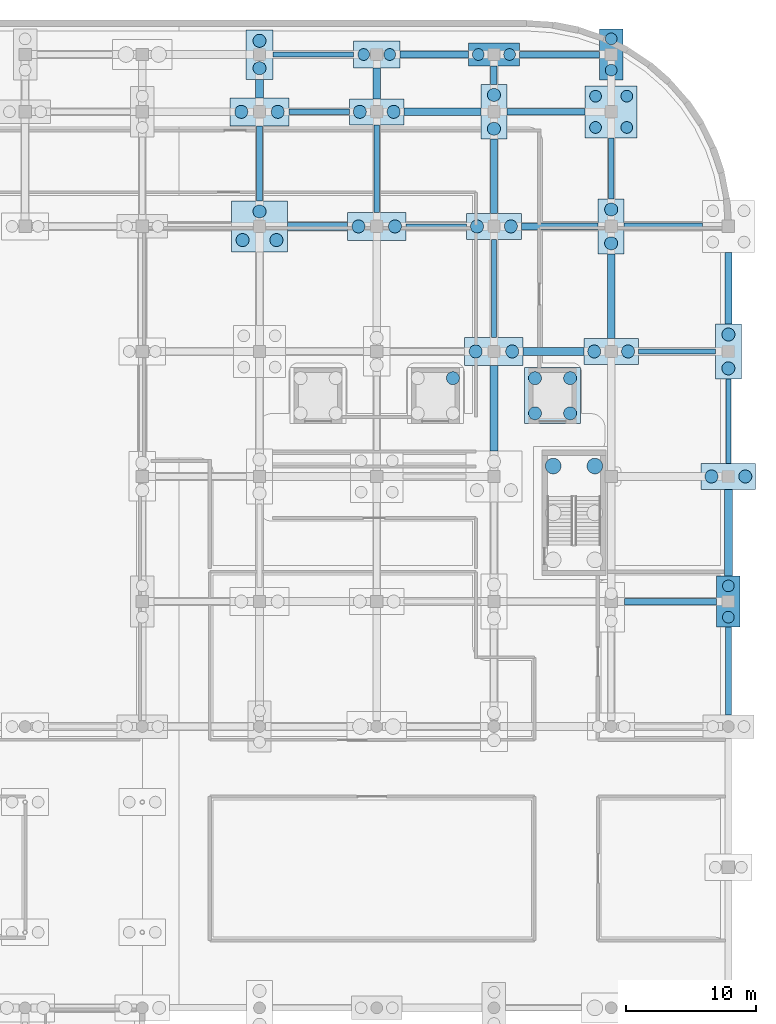
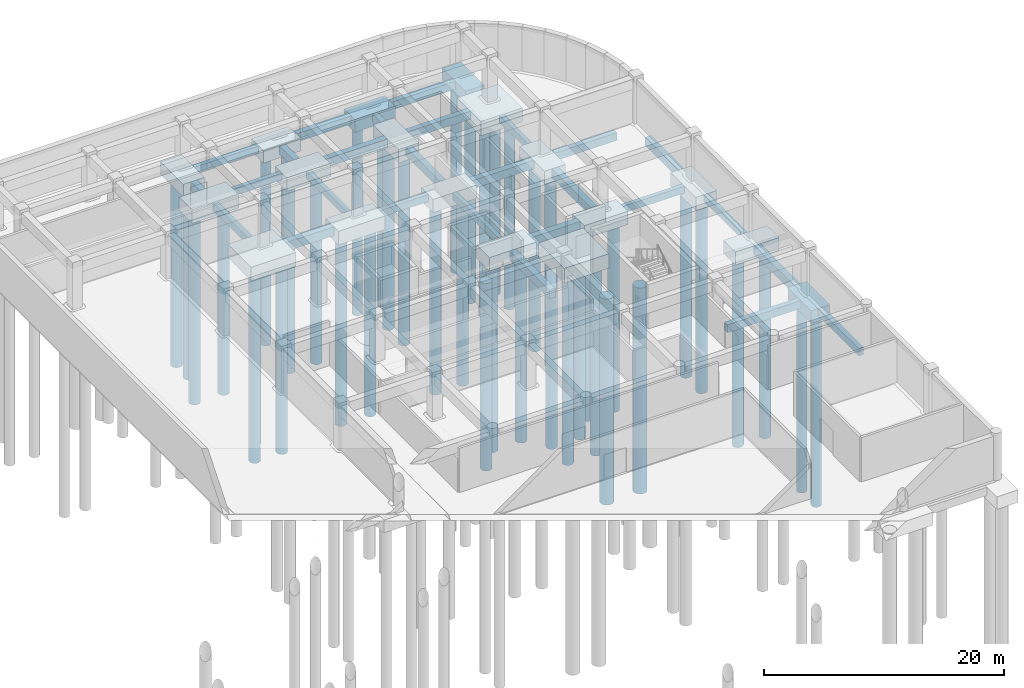
# One storey, part 7 of 47: 45 footings, 44 piles.
"""IFC4 building model written with IfcOpenShell, lengths in metres."""

from ifc_helpers import new_model, si_unit, direction, frame, origin, origin_2d, place, context, subcontext, project, spatial, rectangle, circle, extrude, material, material_profile, profile_set, type_object, element, save


model = new_model("IFC4")

# Units and contexts
model_context = context("Model", 3, precision=1e-05, world=origin(), true_north=direction((0.0, 1.0)))
body_context = subcontext(model_context, "Body", "Model", "MODEL_VIEW")
ifc_project = project(units=[si_unit("LENGTHUNIT", "METRE"), si_unit("AREAUNIT", "SQUARE_METRE"), si_unit("VOLUMEUNIT", "CUBIC_METRE"), si_unit("PLANEANGLEUNIT", "RADIAN"), si_unit("MASSUNIT", "GRAM", prefix="KILO")], contexts=[model_context])

# Site, building, storey
site_placement = place(None, origin())
site = spatial("IfcSite", under=ifc_project, at=site_placement, CompositionType="ELEMENT")
building_placement = place(site_placement, origin())
building = spatial("IfcBuilding", under=site, at=building_placement, Name="Cendralis Terraced Arcade", CompositionType="ELEMENT")
storey_placement = place(building_placement, frame((0.0, 0.0, -4.800048828125)))
storey = spatial("IfcBuildingStorey", under=building, at=storey_placement, Name="B1", CompositionType="ELEMENT", Elevation=-4.800048828125)

# Footings
ifc_material = material(Name="Concrete f'c 35 MPa", Category="concrete")
ifc_material_profile_1 = material_profile(ifc_material, rectangle(XDim=0.39990234375, YDim=0.699951171875, at=origin_2d()), Name="FB-400x700", Category="LoadBearing")
ifc_profile_set_1 = profile_set([ifc_material_profile_1], Name="Concrete f'c 35 MPa")
footing_type_1 = type_object("IfcFootingType", Name="FB-400x700", PredefinedType="FOOTING_BEAM", material=ifc_profile_set_1)
footing_1_placement = place(storey_placement, frame((159.300048828125, 88.800048828125, -0.800048828125), z_axis=(1.0, 0.0, 0.0), x_axis=(0.0, 1.0, 0.0)))
element("IfcFooting", 1, at=footing_1_placement, inside=storey, type_object=footing_type_1, Name="Reinforced Concrete Foundation Tie Beam FB-X-0109", PredefinedType="FOOTING_BEAM", context=body_context, shape_type="SweptSolid", body=[
    extrude(rectangle(XDim=0.39990234375, YDim=0.699951171875, at=origin_2d()), origin(), (0.0, 0.0, 1.0), 5.89990234375),
])
for number, where, z_axis, x_axis, name in (
    (2, (141.449951171875, 98.39990234375, -0.800048828125), (1.0, 0.0, 0.0), (0.0, 1.0, 0.0), "Reinforced Concrete Foundation Tie Beam FB-X-0119"),
    (3, (132.449951171875, 107.199951171875, -0.800048828125), (1.0, 0.0, 0.0), (0.0, 1.0, 0.0), "Reinforced Concrete Foundation Tie Beam FB-X-0129"),
):
    element("IfcFooting", number, at=place(storey_placement, frame(where, z_axis=z_axis, x_axis=x_axis)), inside=storey, type_object=footing_type_1, Name=name, PredefinedType="FOOTING_BEAM", context=body_context, shape_type="SweptSolid", body=[
        extrude(rectangle(XDim=0.39990234375, YDim=0.699951171875, at=origin_2d()), origin(), (0.0, 0.0, 1.0), 4.650146484375),
    ])
footing_2_placement = place(storey_placement, frame((131.22509765625, 111.60009765625, -0.800048828125), z_axis=(1.0, 0.0, 0.0), x_axis=(0.0, 1.0, 0.0)))
element("IfcFooting", 4, at=footing_2_placement, inside=storey, type_object=footing_type_1, Name="Reinforced Concrete Foundation Tie Beam FB-X-0139", PredefinedType="FOOTING_BEAM", context=body_context, shape_type="SweptSolid", body=[
    extrude(rectangle(XDim=0.39990234375, YDim=0.699951171875, at=origin_2d()), origin(), (0.0, 0.0, 1.0), 6.1748046875),
])
footing_3_placement = place(storey_placement, frame((139.199951171875, 99.47509765625, -0.800048828125), z_axis=(0.0, 1.0, 0.0), x_axis=(-1.0, 0.0, 0.0)))
element("IfcFooting", 5, at=footing_3_placement, inside=storey, type_object=footing_type_1, Name="Reinforced Concrete Foundation Tie Beam FB-Y-0259", PredefinedType="FOOTING_BEAM", context=body_context, shape_type="SweptSolid", body=[
    extrude(rectangle(XDim=0.39990234375, YDim=0.699951171875, at=origin_2d()), origin(), (0.0, 0.0, 1.0), 6.724853515625),
])
footing_4_placement = place(storey_placement, frame((148.199951171875, 89.875, -0.800048828125), z_axis=(0.0, 1.0, 0.0), x_axis=(-1.0, 0.0, 0.0)))
element("IfcFooting", 6, at=footing_4_placement, inside=storey, type_object=footing_type_1, Name="Reinforced Concrete Foundation Tie Beam FB-Y-0264", PredefinedType="FOOTING_BEAM", context=body_context, shape_type="SweptSolid", body=[
    extrude(rectangle(XDim=0.39990234375, YDim=0.699951171875, at=origin_2d()), origin(), (0.0, 0.0, 1.0), 7.52490234375),
])
footing_5_placement = place(storey_placement, frame((157.199951171875, 100.5, -0.800048828125), z_axis=(0.0, 1.0, 0.0), x_axis=(-1.0, 0.0, 0.0)))
element("IfcFooting", 7, at=footing_5_placement, inside=storey, type_object=footing_type_1, Name="Reinforced Concrete Foundation Tie Beam FB-Y-0269", PredefinedType="FOOTING_BEAM", context=body_context, shape_type="SweptSolid", body=[
    extrude(rectangle(XDim=0.39990234375, YDim=0.699951171875, at=origin_2d()), origin(), (0.0, 0.0, 1.0), 4.699951171875),
])
footing_6_placement = place(storey_placement, frame((166.199951171875, 80.199951171875, -0.800048828125), z_axis=(0.0, 1.0, 0.0), x_axis=(-1.0, 0.0, 0.0)))
element("IfcFooting", 8, at=footing_6_placement, inside=storey, type_object=footing_type_1, Name="Reinforced Concrete Foundation Tie Beam FB-Y-0274", PredefinedType="FOOTING_BEAM", context=body_context, shape_type="SweptSolid", body=[
    extrude(rectangle(XDim=0.39990234375, YDim=0.699951171875, at=origin_2d()), origin(), (0.0, 0.0, 1.0), 6.5),
])
ifc_material_profile_2 = material_profile(ifc_material, rectangle(XDim=0.449951171875, YDim=0.75, at=origin_2d()), Name="FB-450x750", Category="LoadBearing")
ifc_profile_set_2 = profile_set([ifc_material_profile_2], Name="Concrete f'c 35 MPa")
footing_type_2 = type_object("IfcFootingType", Name="FB-450x750", PredefinedType="FOOTING_BEAM", material=ifc_profile_set_2)
footing_7_placement = place(storey_placement, frame((130.199951171875, 100.35009765625, -0.824951171875), z_axis=(0.0, 1.0, 0.0), x_axis=(-1.0, 0.0, 0.0)))
element("IfcFooting", 9, at=footing_7_placement, inside=storey, type_object=footing_type_2, Name="Reinforced Concrete Foundation Tie Beam FB-Y-0252", PredefinedType="FOOTING_BEAM", context=body_context, shape_type="SweptSolid", body=[
    extrude(rectangle(XDim=0.449951171875, YDim=0.75, at=origin_2d()), origin(), (0.0, 0.0, 1.0), 5.77490234375),
])
footing_8_placement = place(storey_placement, frame((166.199951171875, 60.89990234375, -0.824951171875), z_axis=(0.0, 1.0, 0.0), x_axis=(-1.0, 0.0, 0.0)))
element("IfcFooting", 10, at=footing_8_placement, inside=storey, type_object=footing_type_2, Name="Reinforced Concrete Foundation Tie Beam FB-Y-0272", PredefinedType="FOOTING_BEAM", context=body_context, shape_type="SweptSolid", body=[
    extrude(rectangle(XDim=0.449951171875, YDim=0.75, at=origin_2d()), origin(), (0.0, 0.0, 1.0), 6.75),
])
ifc_material_profile_3 = material_profile(ifc_material, rectangle(XDim=0.5, YDim=0.800048828125, at=origin_2d()), Name="FB-500x800", Category="LoadBearing")
ifc_profile_set_3 = profile_set([ifc_material_profile_3], Name="Concrete f'c 35 MPa")
footing_type_3 = type_object("IfcFootingType", Name="FB-500x800", PredefinedType="FOOTING_BEAM", material=ifc_profile_set_3)
footing_9_placement = place(storey_placement, frame((158.22509765625, 69.60009765625, -0.849853515625), z_axis=(1.0, 0.0, 0.0), x_axis=(0.0, 1.0, 0.0)))
element("IfcFooting", 11, at=footing_9_placement, inside=storey, type_object=footing_type_3, Name="Reinforced Concrete Foundation Tie Beam FB-X-0091", PredefinedType="FOOTING_BEAM", context=body_context, shape_type="SweptSolid", body=[
    extrude(rectangle(XDim=0.5, YDim=0.800048828125, at=origin_2d()), origin(), (0.0, 0.0, 1.0), 7.074951171875),
])
for number, where, z_axis, x_axis, name in (
    (12, (158.199951171875, 98.39990234375, -0.849853515625), (1.0, 0.0, 0.0), (0.0, 1.0, 0.0), "Reinforced Concrete Foundation Tie Beam FB-X-0121"),
    (13, (149.199951171875, 107.199951171875, -0.849853515625), (1.0, 0.0, 0.0), (0.0, 1.0, 0.0), "Reinforced Concrete Foundation Tie Beam FB-X-0131"),
):
    element("IfcFooting", number, at=place(storey_placement, frame(where, z_axis=z_axis, x_axis=x_axis)), inside=storey, type_object=footing_type_3, Name=name, PredefinedType="FOOTING_BEAM", context=body_context, shape_type="SweptSolid", body=[
        extrude(rectangle(XDim=0.5, YDim=0.800048828125, at=origin_2d()), origin(), (0.0, 0.0, 1.0), 6.0),
    ])
footing_10_placement = place(storey_placement, frame((150.14990234375, 111.60009765625, -0.849853515625), z_axis=(1.0, 0.0, 0.0), x_axis=(0.0, 1.0, 0.0)))
element("IfcFooting", 14, at=footing_10_placement, inside=storey, type_object=footing_type_3, Name="Reinforced Concrete Foundation Tie Beam FB-X-0141", PredefinedType="FOOTING_BEAM", context=body_context, shape_type="SweptSolid", body=[
    extrude(rectangle(XDim=0.5, YDim=0.800048828125, at=origin_2d()), origin(), (0.0, 0.0, 1.0), 6.150146484375),
])
footing_11_placement = place(storey_placement, frame((148.199951171875, 109.300048828125, -0.849853515625), z_axis=(0.0, 1.0, 0.0), x_axis=(-1.0, 0.0, 0.0)))
element("IfcFooting", 15, at=footing_11_placement, inside=storey, type_object=footing_type_3, Name="Reinforced Concrete Foundation Tie Beam FB-Y-0266", PredefinedType="FOOTING_BEAM", context=body_context, shape_type="SweptSolid", body=[
    extrude(rectangle(XDim=0.5, YDim=0.800048828125, at=origin_2d()), origin(), (0.0, 0.0, 1.0), 1.39990234375),
])
ifc_material_profile_4 = material_profile(ifc_material, rectangle(XDim=0.550048828125, YDim=0.85009765625, at=origin_2d()), Name="FB-550x850", Category="LoadBearing")
ifc_profile_set_4 = profile_set([ifc_material_profile_4], Name="Concrete f'c 35 MPa")
footing_type_4 = type_object("IfcFootingType", Name="FB-550x850", PredefinedType="FOOTING_BEAM", material=ifc_profile_set_4)
for number, where, z_axis, x_axis, name in (
    (16, (150.300048828125, 98.39990234375, -0.875), (1.0, 0.0, 0.0), (0.0, 1.0, 0.0), "Reinforced Concrete Foundation Tie Beam FB-X-0120"),
    (17, (141.300048828125, 107.199951171875, -0.875), (1.0, 0.0, 0.0), (0.0, 1.0, 0.0), "Reinforced Concrete Foundation Tie Beam FB-X-0130"),
):
    element("IfcFooting", number, at=place(storey_placement, frame(where, z_axis=z_axis, x_axis=x_axis)), inside=storey, type_object=footing_type_4, Name=name, PredefinedType="FOOTING_BEAM", context=body_context, shape_type="SweptSolid", body=[
        extrude(rectangle(XDim=0.550048828125, YDim=0.85009765625, at=origin_2d()), origin(), (0.0, 0.0, 1.0), 5.89990234375),
    ])
footing_12_placement = place(storey_placement, frame((141.0, 111.60009765625, -0.875), z_axis=(1.0, 0.0, 0.0), x_axis=(0.0, 1.0, 0.0)))
element("IfcFooting", 18, at=footing_12_placement, inside=storey, type_object=footing_type_4, Name="Reinforced Concrete Foundation Tie Beam FB-X-0140", PredefinedType="FOOTING_BEAM", context=body_context, shape_type="SweptSolid", body=[
    extrude(rectangle(XDim=0.550048828125, YDim=0.85009765625, at=origin_2d()), origin(), (0.0, 0.0, 1.0), 5.25),
])
footing_13_placement = place(storey_placement, frame((139.199951171875, 108.199951171875, -0.875), z_axis=(0.0, 1.0, 0.0), x_axis=(-1.0, 0.0, 0.0)))
element("IfcFooting", 19, at=footing_13_placement, inside=storey, type_object=footing_type_4, Name="Reinforced Concrete Foundation Tie Beam FB-Y-0260", PredefinedType="FOOTING_BEAM", context=body_context, shape_type="SweptSolid", body=[
    extrude(rectangle(XDim=0.550048828125, YDim=0.85009765625, at=origin_2d()), origin(), (0.0, 0.0, 1.0), 2.375),
])
footing_14_placement = place(storey_placement, frame((148.199951171875, 99.39990234375, -0.875), z_axis=(0.0, 1.0, 0.0), x_axis=(-1.0, 0.0, 0.0)))
element("IfcFooting", 20, at=footing_14_placement, inside=storey, type_object=footing_type_4, Name="Reinforced Concrete Foundation Tie Beam FB-Y-0265", PredefinedType="FOOTING_BEAM", context=body_context, shape_type="SweptSolid", body=[
    extrude(rectangle(XDim=0.550048828125, YDim=0.85009765625, at=origin_2d()), origin(), (0.0, 0.0, 1.0), 5.7001953125),
])
footing_15_placement = place(storey_placement, frame((166.199951171875, 90.89990234375, -0.875), z_axis=(0.0, 1.0, 0.0), x_axis=(-1.0, 0.0, 0.0)))
element("IfcFooting", 21, at=footing_15_placement, inside=storey, type_object=footing_type_4, Name="Reinforced Concrete Foundation Tie Beam FB-Y-0275", PredefinedType="FOOTING_BEAM", context=body_context, shape_type="SweptSolid", body=[
    extrude(rectangle(XDim=0.550048828125, YDim=0.85009765625, at=origin_2d()), origin(), (0.0, 0.0, 1.0), 5.5),
])
ifc_material_profile_5 = material_profile(ifc_material, rectangle(XDim=0.60009765625, YDim=0.89990234375, at=origin_2d()), Name="FB-600x900", Category="LoadBearing")
ifc_profile_set_5 = profile_set([ifc_material_profile_5], Name="Concrete f'c 35 MPa")
footing_type_5 = type_object("IfcFootingType", Name="FB-600x900", PredefinedType="FOOTING_BEAM", material=ifc_profile_set_5)
footing_16_placement = place(storey_placement, frame((150.449951171875, 88.800048828125, -0.89990234375), z_axis=(1.0, 0.0, 0.0), x_axis=(0.0, 1.0, 0.0)))
element("IfcFooting", 22, at=footing_16_placement, inside=storey, type_object=footing_type_5, Name="Reinforced Concrete Foundation Tie Beam FB-X-0108", PredefinedType="FOOTING_BEAM", context=body_context, shape_type="SweptSolid", body=[
    extrude(rectangle(XDim=0.60009765625, YDim=0.89990234375, at=origin_2d()), origin(), (0.0, 0.0, 1.0), 4.650146484375),
])
footing_17_placement = place(storey_placement, frame((132.35009765625, 98.39990234375, -0.89990234375), z_axis=(1.0, 0.0, 0.0), x_axis=(0.0, 1.0, 0.0)))
element("IfcFooting", 23, at=footing_17_placement, inside=storey, type_object=footing_type_5, Name="Reinforced Concrete Foundation Tie Beam FB-X-0118", PredefinedType="FOOTING_BEAM", context=body_context, shape_type="SweptSolid", body=[
    extrude(rectangle(XDim=0.60009765625, YDim=0.89990234375, at=origin_2d()), origin(), (0.0, 0.0, 1.0), 4.599853515625),
])
footing_18_placement = place(storey_placement, frame((130.199951171875, 108.27490234375, -0.89990234375), z_axis=(0.0, 1.0, 0.0), x_axis=(-1.0, 0.0, 0.0)))
element("IfcFooting", 24, at=footing_18_placement, inside=storey, type_object=footing_type_5, Name="Reinforced Concrete Foundation Tie Beam FB-Y-0253", PredefinedType="FOOTING_BEAM", context=body_context, shape_type="SweptSolid", body=[
    extrude(rectangle(XDim=0.60009765625, YDim=0.89990234375, at=origin_2d()), origin(), (0.0, 0.0, 1.0), 1.425048828125),
])
footing_19_placement = place(storey_placement, frame((148.199951171875, 81.14990234375, -0.89990234375), z_axis=(0.0, 1.0, 0.0), x_axis=(-1.0, 0.0, 0.0)))
element("IfcFooting", 25, at=footing_19_placement, inside=storey, type_object=footing_type_5, Name="Reinforced Concrete Foundation Tie Beam FB-Y-0263", PredefinedType="FOOTING_BEAM", context=body_context, shape_type="SweptSolid", body=[
    extrude(rectangle(XDim=0.60009765625, YDim=0.89990234375, at=origin_2d()), origin(), (0.0, 0.0, 1.0), 6.5751953125),
])
footing_20_placement = place(storey_placement, frame((157.199951171875, 89.800048828125, -0.89990234375), z_axis=(0.0, 1.0, 0.0), x_axis=(-1.0, 0.0, 0.0)))
element("IfcFooting", 26, at=footing_20_placement, inside=storey, type_object=footing_type_5, Name="Reinforced Concrete Foundation Tie Beam FB-Y-0268", PredefinedType="FOOTING_BEAM", context=body_context, shape_type="SweptSolid", body=[
    extrude(rectangle(XDim=0.60009765625, YDim=0.89990234375, at=origin_2d()), origin(), (0.0, 0.0, 1.0), 6.5),
])
footing_21_placement = place(storey_placement, frame((166.199951171875, 71.550048828125, -0.89990234375), z_axis=(0.0, 1.0, 0.0), x_axis=(-1.0, 0.0, 0.0)))
element("IfcFooting", 27, at=footing_21_placement, inside=storey, type_object=footing_type_5, Name="Reinforced Concrete Foundation Tie Beam FB-Y-0273", PredefinedType="FOOTING_BEAM", context=body_context, shape_type="SweptSolid", body=[
    extrude(rectangle(XDim=0.60009765625, YDim=0.89990234375, at=origin_2d()), origin(), (0.0, 0.0, 1.0), 6.64990234375),
])
footing_type_6 = type_object("IfcFootingType", Name="PC-2P-1800x3900x1300", PredefinedType="PILE_CAP", material=ifc_material)
for number, where, z_axis, x_axis, name in (
    (28, (157.199951171875, 111.60009765625, -1.75), (0.0, 0.0, 1.0), (1.0, 0.0, 0.0), "Reinforced Concrete Bored Pile Cap CAP-G18-N"),
    (29, (166.199951171875, 69.60009765625, -1.75), (0.0, 0.0, 1.0), (1.0, 0.0, 0.0), "Reinforced Concrete Bored Pile Cap CAP-G19-H"),
):
    element("IfcFooting", number, at=place(storey_placement, frame(where, z_axis=z_axis, x_axis=x_axis)), inside=storey, type_object=footing_type_6, Name=name, PredefinedType="PILE_CAP", context=body_context, shape_type="SweptSolid", body=[
        extrude(rectangle(XDim=1.800048828125, YDim=3.89990234375, at=origin_2d()), origin(), (0.0, 0.0, 1.0), 1.300048828125),
    ])
footing_type_7 = type_object("IfcFootingType", Name="PC-2P-2000x4200x1350", PredefinedType="PILE_CAP", material=ifc_material)
for number, where, z_axis, x_axis, name in (
    (30, (148.199951171875, 107.199951171875, -1.800048828125), (0.0, 0.0, 1.0), (1.0, 0.0, 0.0), "Reinforced Concrete Bored Pile Cap CAP-G17-M"),
    (31, (157.199951171875, 98.39990234375, -1.800048828125), (0.0, 0.0, 1.0), (1.0, 0.0, 0.0), "Reinforced Concrete Bored Pile Cap CAP-G18-L"),
    (32, (166.199951171875, 88.800048828125, -1.800048828125), (0.0, 0.0, 1.0), (1.0, 0.0, 0.0), "Reinforced Concrete Bored Pile Cap CAP-G19-K"),
):
    element("IfcFooting", number, at=place(storey_placement, frame(where, z_axis=z_axis, x_axis=x_axis)), inside=storey, type_object=footing_type_7, Name=name, PredefinedType="PILE_CAP", context=body_context, shape_type="SweptSolid", body=[
        extrude(rectangle(XDim=2.0, YDim=4.199951171875, at=origin_2d()), origin(), (0.0, 0.0, 1.0), 1.35009765625),
    ])
footing_type_8 = type_object("IfcFootingType", Name="PC-2P-2050x3800x1280", PredefinedType="PILE_CAP", material=ifc_material)
footing_22_placement = place(storey_placement, frame((130.199951171875, 111.60009765625, -1.72998046875), z_axis=(0.0, 0.0, 1.0), x_axis=(1.0, 0.0, 0.0)))
element("IfcFooting", 33, at=footing_22_placement, inside=storey, type_object=footing_type_8, Name="Reinforced Concrete Bored Pile Cap CAP-G15-N", PredefinedType="PILE_CAP", context=body_context, shape_type="SweptSolid", body=[
    extrude(rectangle(XDim=2.050048828125, YDim=3.800048828125, at=origin_2d()), origin(), (0.0, 0.0, 1.0), 1.280029296875),
])
footing_type_9 = type_object("IfcFootingType", Name="PC-2P-3600x2050x1260", PredefinedType="PILE_CAP", material=ifc_material)
footing_23_placement = place(storey_placement, frame((139.199951171875, 111.60009765625, -1.7099609375), z_axis=(0.0, 0.0, 1.0), x_axis=(1.0, 0.0, 0.0)))
element("IfcFooting", 34, at=footing_23_placement, inside=storey, type_object=footing_type_9, Name="Reinforced Concrete Bored Pile Cap CAP-G16-N", PredefinedType="PILE_CAP", context=body_context, shape_type="SweptSolid", body=[
    extrude(rectangle(XDim=3.60009765625, YDim=2.050048828125, at=origin_2d()), origin(), (0.0, 0.0, 1.0), 1.260009765625),
])
footing_type_10 = type_object("IfcFootingType", Name="PC-2P-3900x1800x1300", PredefinedType="PILE_CAP", material=ifc_material)
footing_24_placement = place(storey_placement, frame((148.199951171875, 111.60009765625, -1.75), z_axis=(0.0, 0.0, 1.0), x_axis=(1.0, 0.0, 0.0)))
element("IfcFooting", 35, at=footing_24_placement, inside=storey, type_object=footing_type_10, Name="Reinforced Concrete Bored Pile Cap CAP-G17-N", PredefinedType="PILE_CAP", context=body_context, shape_type="SweptSolid", body=[
    extrude(rectangle(XDim=3.89990234375, YDim=1.800048828125, at=origin_2d()), origin(), (0.0, 0.0, 1.0), 1.300048828125),
])
footing_type_11 = type_object("IfcFootingType", Name="PC-2P-4200x2000x1350", PredefinedType="PILE_CAP", material=ifc_material)
for number, where, z_axis, x_axis, name in (
    (36, (139.199951171875, 107.199951171875, -1.800048828125), (0.0, 0.0, 1.0), (1.0, 0.0, 0.0), "Reinforced Concrete Bored Pile Cap CAP-G16-M"),
    (37, (148.199951171875, 98.39990234375, -1.800048828125), (0.0, 0.0, 1.0), (1.0, 0.0, 0.0), "Reinforced Concrete Bored Pile Cap CAP-G17-L"),
    (38, (157.199951171875, 88.800048828125, -1.800048828125), (0.0, 0.0, 1.0), (1.0, 0.0, 0.0), "Reinforced Concrete Bored Pile Cap CAP-G18-K"),
    (39, (166.199951171875, 79.199951171875, -1.800048828125), (0.0, 0.0, 1.0), (1.0, 0.0, 0.0), "Reinforced Concrete Bored Pile Cap CAP-G19-J"),
):
    element("IfcFooting", number, at=place(storey_placement, frame(where, z_axis=z_axis, x_axis=x_axis)), inside=storey, type_object=footing_type_11, Name=name, PredefinedType="PILE_CAP", context=body_context, shape_type="SweptSolid", body=[
        extrude(rectangle(XDim=4.199951171875, YDim=2.0, at=origin_2d()), origin(), (0.0, 0.0, 1.0), 1.35009765625),
    ])
footing_type_12 = type_object("IfcFootingType", Name="PC-2P-4500x2150x1380", PredefinedType="PILE_CAP", material=ifc_material)
for number, where, z_axis, x_axis, name in (
    (40, (130.199951171875, 107.199951171875, -1.829833984375), (0.0, 0.0, 1.0), (1.0, 0.0, 0.0), "Reinforced Concrete Bored Pile Cap CAP-G15-M"),
    (41, (139.199951171875, 98.39990234375, -1.829833984375), (0.0, 0.0, 1.0), (1.0, 0.0, 0.0), "Reinforced Concrete Bored Pile Cap CAP-G16-L"),
    (42, (148.199951171875, 88.800048828125, -1.829833984375), (0.0, 0.0, 1.0), (1.0, 0.0, 0.0), "Reinforced Concrete Bored Pile Cap CAP-G17-K"),
):
    element("IfcFooting", number, at=place(storey_placement, frame(where, z_axis=z_axis, x_axis=x_axis)), inside=storey, type_object=footing_type_12, Name=name, PredefinedType="PILE_CAP", context=body_context, shape_type="SweptSolid", body=[
        extrude(rectangle(XDim=4.5, YDim=2.14990234375, at=origin_2d()), origin(), (0.0, 0.0, 1.0), 1.3798828125),
    ])
footing_type_13 = type_object("IfcFootingType", Name="PC-3P-4300x3900x1400", PredefinedType="PILE_CAP", material=ifc_material)
footing_25_placement = place(storey_placement, frame((130.199951171875, 98.39990234375, -1.849853515625), z_axis=(0.0, 0.0, 1.0), x_axis=(1.0, 0.0, 0.0)))
element("IfcFooting", 43, at=footing_25_placement, inside=storey, type_object=footing_type_13, Name="Reinforced Concrete Bored Pile Cap CAP-G15-L", PredefinedType="PILE_CAP", context=body_context, shape_type="SweptSolid", body=[
    extrude(rectangle(XDim=4.300048828125, YDim=3.89990234375, at=origin_2d()), origin(), (0.0, 0.0, 1.0), 1.39990234375),
])
footing_type_14 = type_object("IfcFootingType", Name="PC-4P-4000x4000x1450", PredefinedType="PILE_CAP", material=ifc_material)
footing_26_placement = place(storey_placement, frame((157.199951171875, 107.199951171875, -1.89990234375), z_axis=(0.0, 0.0, 1.0), x_axis=(1.0, 0.0, 0.0)))
element("IfcFooting", 44, at=footing_26_placement, inside=storey, type_object=footing_type_14, Name="Reinforced Concrete Bored Pile Cap CAP-G18-M", PredefinedType="PILE_CAP", context=body_context, shape_type="SweptSolid", body=[
    extrude(rectangle(XDim=4.0, YDim=4.0, at=origin_2d()), origin(), (0.0, 0.0, 1.0), 1.449951171875),
])
footing_type_15 = type_object("IfcFootingType", Name="PC-4P-4300x4300x1480", PredefinedType="PILE_CAP", material=ifc_material)
footing_27_placement = place(storey_placement, frame((152.699951171875, 85.39990234375, -1.929931640625), z_axis=(0.0, 0.0, 1.0), x_axis=(1.0, 0.0, 0.0)))
element("IfcFooting", 45, at=footing_27_placement, inside=storey, type_object=footing_type_15, Name="Reinforced Concrete Bored Pile Cap CAP-GL-03", PredefinedType="PILE_CAP", context=body_context, shape_type="SweptSolid", body=[
    extrude(rectangle(XDim=4.300048828125, YDim=4.300048828125, at=origin_2d()), origin(), (0.0, 0.0, 1.0), 1.47998046875),
])

# Piles
ifc_material_profile_6 = material_profile(ifc_material, circle(Radius=0.5, at=origin_2d()), Name="PILE-D1000", Category="LoadBearing")
ifc_profile_set_6 = profile_set([ifc_material_profile_6], Name="Concrete f'c 35 MPa")
pile_type_1 = type_object("IfcPileType", Name="PILE-1000", PredefinedType="BORED", material=ifc_profile_set_6)
for number, where, z_axis, x_axis, name in (
    (46, (145.050048828125, 86.75, -1.829833984375), (0.0, 0.0, -1.0), (1.0, 0.0, 0.0), "Bored Concrete Pile PILE-C-CAP-GL-02-4-135_135"),
    (47, (151.35009765625, 84.050048828125, -1.829833984375), (0.0, 0.0, -1.0), (1.0, 0.0, 0.0), "Bored Concrete Pile PILE-C-CAP-GL-03-4--135_-135"),
    (48, (154.050048828125, 84.050048828125, -1.829833984375), (0.0, 0.0, -1.0), (1.0, 0.0, 0.0), "Bored Concrete Pile PILE-C-CAP-GL-03-4-135_-135"),
    (49, (151.35009765625, 86.75, -1.829833984375), (0.0, 0.0, -1.0), (1.0, 0.0, 0.0), "Bored Concrete Pile PILE-C-CAP-GL-03-4--135_135"),
    (50, (154.050048828125, 86.75, -1.829833984375), (0.0, 0.0, -1.0), (1.0, 0.0, 0.0), "Bored Concrete Pile PILE-C-CAP-GL-03-4-135_135"),
):
    element("IfcPile", number, at=place(storey_placement, frame(where, z_axis=z_axis, x_axis=x_axis)), inside=storey, type_object=pile_type_1, Name=name, PredefinedType="BORED", context=body_context, shape_type="SweptSolid", body=[
        extrude(circle(Radius=0.5, at=origin_2d()), origin(), (0.0, 0.0, 1.0), 19.070068359375),
    ])
for number, where, z_axis, x_axis, name in (
    (51, (128.89990234375, 97.35009765625, -1.75), (0.0, 0.0, -1.0), (1.0, 0.0, 0.0), "Bored Concrete Pile PILE-C-CAP-G15-L-3--130_-105"),
    (52, (131.5, 97.35009765625, -1.75), (0.0, 0.0, -1.0), (1.0, 0.0, 0.0), "Bored Concrete Pile PILE-C-CAP-G15-L-3-130_-105"),
    (53, (130.199951171875, 99.550048828125, -1.75), (0.0, 0.0, -1.0), (1.0, 0.0, 0.0), "Bored Concrete Pile PILE-C-CAP-G15-L-3-0_115"),
):
    element("IfcPile", number, at=place(storey_placement, frame(where, z_axis=z_axis, x_axis=x_axis)), inside=storey, type_object=pile_type_1, Name=name, PredefinedType="BORED", context=body_context, shape_type="SweptSolid", body=[
        extrude(circle(Radius=0.5, at=origin_2d()), origin(), (0.0, 0.0, 1.0), 19.14990234375),
    ])
for number, where, z_axis, x_axis, name in (
    (54, (128.800048828125, 107.199951171875, -1.72998046875), (0.0, 0.0, -1.0), (1.0, 0.0, 0.0), "Bored Concrete Pile PILE-C-CAP-G15-M-2--140_0"),
    (55, (131.60009765625, 107.199951171875, -1.72998046875), (0.0, 0.0, -1.0), (1.0, 0.0, 0.0), "Bored Concrete Pile PILE-C-CAP-G15-M-2-140_0"),
):
    element("IfcPile", number, at=place(storey_placement, frame(where, z_axis=z_axis, x_axis=x_axis)), inside=storey, type_object=pile_type_1, Name=name, PredefinedType="BORED", context=body_context, shape_type="SweptSolid", body=[
        extrude(circle(Radius=0.5, at=origin_2d()), origin(), (0.0, 0.0, 1.0), 19.169921875),
    ])
for number, where, z_axis, x_axis, name in (
    (56, (130.199951171875, 110.550048828125, -1.6298828125), (0.0, 0.0, -1.0), (1.0, 0.0, 0.0), "Bored Concrete Pile PILE-C-CAP-G15-N-1-0_-105"),
    (57, (130.199951171875, 112.64990234375, -1.6298828125), (0.0, 0.0, -1.0), (1.0, 0.0, 0.0), "Bored Concrete Pile PILE-B-CAP-G15-N-1"),
):
    element("IfcPile", number, at=place(storey_placement, frame(where, z_axis=z_axis, x_axis=x_axis)), inside=storey, type_object=pile_type_1, Name=name, PredefinedType="BORED", context=body_context, shape_type="SweptSolid", body=[
        extrude(circle(Radius=0.5, at=origin_2d()), origin(), (0.0, 0.0, 1.0), 19.27001953125),
    ])
for number, where, z_axis, x_axis, name in (
    (58, (137.800048828125, 98.39990234375, -1.72998046875), (0.0, 0.0, -1.0), (1.0, 0.0, 0.0), "Bored Concrete Pile PILE-C-CAP-G16-L-2--140_0"),
    (59, (140.60009765625, 98.39990234375, -1.72998046875), (0.0, 0.0, -1.0), (1.0, 0.0, 0.0), "Bored Concrete Pile PILE-C-CAP-G16-L-2-140_0"),
):
    element("IfcPile", number, at=place(storey_placement, frame(where, z_axis=z_axis, x_axis=x_axis)), inside=storey, type_object=pile_type_1, Name=name, PredefinedType="BORED", context=body_context, shape_type="SweptSolid", body=[
        extrude(circle(Radius=0.5, at=origin_2d()), origin(), (0.0, 0.0, 1.0), 19.169921875),
    ])
for number, where, z_axis, x_axis, name in (
    (60, (137.89990234375, 107.199951171875, -1.699951171875), (0.0, 0.0, -1.0), (1.0, 0.0, 0.0), "Bored Concrete Pile PILE-C-CAP-G16-M-2--130_0"),
    (61, (140.5, 107.199951171875, -1.699951171875), (0.0, 0.0, -1.0), (1.0, 0.0, 0.0), "Bored Concrete Pile PILE-C-CAP-G16-M-2-130_0"),
):
    element("IfcPile", number, at=place(storey_placement, frame(where, z_axis=z_axis, x_axis=x_axis)), inside=storey, type_object=pile_type_1, Name=name, PredefinedType="BORED", context=body_context, shape_type="SweptSolid", body=[
        extrude(circle(Radius=0.5, at=origin_2d()), origin(), (0.0, 0.0, 1.0), 19.199951171875),
    ])
for number, where, z_axis, x_axis, name in (
    (62, (146.800048828125, 88.800048828125, -1.72998046875), (0.0, 0.0, -1.0), (1.0, 0.0, 0.0), "Bored Concrete Pile PILE-C-CAP-G17-K-2--140_0"),
    (63, (149.60009765625, 88.800048828125, -1.72998046875), (0.0, 0.0, -1.0), (1.0, 0.0, 0.0), "Bored Concrete Pile PILE-C-CAP-G17-K-2-140_0"),
):
    element("IfcPile", number, at=place(storey_placement, frame(where, z_axis=z_axis, x_axis=x_axis)), inside=storey, type_object=pile_type_1, Name=name, PredefinedType="BORED", context=body_context, shape_type="SweptSolid", body=[
        extrude(circle(Radius=0.5, at=origin_2d()), origin(), (0.0, 0.0, 1.0), 19.169921875),
    ])
for number, where, z_axis, x_axis, name in (
    (64, (146.89990234375, 98.39990234375, -1.699951171875), (0.0, 0.0, -1.0), (1.0, 0.0, 0.0), "Bored Concrete Pile PILE-C-CAP-G17-L-2--130_0"),
    (65, (149.5, 98.39990234375, -1.699951171875), (0.0, 0.0, -1.0), (1.0, 0.0, 0.0), "Bored Concrete Pile PILE-C-CAP-G17-L-2-130_0"),
    (66, (148.199951171875, 105.89990234375, -1.699951171875), (0.0, 0.0, -1.0), (1.0, 0.0, 0.0), "Bored Concrete Pile PILE-C-CAP-G17-M-2-0_-130"),
    (67, (148.199951171875, 108.5, -1.699951171875), (0.0, 0.0, -1.0), (1.0, 0.0, 0.0), "Bored Concrete Pile PILE-C-CAP-G17-M-2-0_130"),
    (68, (155.89990234375, 88.800048828125, -1.699951171875), (0.0, 0.0, -1.0), (1.0, 0.0, 0.0), "Bored Concrete Pile PILE-C-CAP-G18-K-2--130_0"),
    (69, (158.5, 88.800048828125, -1.699951171875), (0.0, 0.0, -1.0), (1.0, 0.0, 0.0), "Bored Concrete Pile PILE-C-CAP-G18-K-2-130_0"),
    (70, (157.199951171875, 97.10009765625, -1.699951171875), (0.0, 0.0, -1.0), (1.0, 0.0, 0.0), "Bored Concrete Pile PILE-C-CAP-G18-L-2-0_-130"),
    (71, (157.199951171875, 99.699951171875, -1.699951171875), (0.0, 0.0, -1.0), (1.0, 0.0, 0.0), "Bored Concrete Pile PILE-C-CAP-G18-L-2-0_130"),
    (72, (164.89990234375, 79.199951171875, -1.699951171875), (0.0, 0.0, -1.0), (1.0, 0.0, 0.0), "Bored Concrete Pile PILE-C-CAP-G19-J-2--130_0"),
    (73, (167.5, 79.199951171875, -1.699951171875), (0.0, 0.0, -1.0), (1.0, 0.0, 0.0), "Bored Concrete Pile PILE-C-CAP-G19-J-2-130_0"),
    (74, (166.199951171875, 87.5, -1.699951171875), (0.0, 0.0, -1.0), (1.0, 0.0, 0.0), "Bored Concrete Pile PILE-C-CAP-G19-K-2-0_-130"),
    (75, (166.199951171875, 90.10009765625, -1.699951171875), (0.0, 0.0, -1.0), (1.0, 0.0, 0.0), "Bored Concrete Pile PILE-C-CAP-G19-K-2-0_130"),
):
    element("IfcPile", number, at=place(storey_placement, frame(where, z_axis=z_axis, x_axis=x_axis)), inside=storey, type_object=pile_type_1, Name=name, PredefinedType="BORED", context=body_context, shape_type="SweptSolid", body=[
        extrude(circle(Radius=0.5, at=origin_2d()), origin(), (0.0, 0.0, 1.0), 19.199951171875),
    ])
ifc_material_profile_7 = material_profile(ifc_material, circle(Radius=0.60009765625, at=origin_2d()), Name="PILE-D1200", Category="LoadBearing")
ifc_profile_set_7 = profile_set([ifc_material_profile_7], Name="Concrete f'c 35 MPa")
pile_type_2 = type_object("IfcPileType", Name="PILE-1200", PredefinedType="BORED", material=ifc_profile_set_7)
for number, where, z_axis, x_axis, name in (
    (76, (152.75, 80.0, -1.949951171875), (0.0, 0.0, -1.0), (1.0, 0.0, 0.0), "Bored Concrete Pile PILE-C-CAP-ST-06-6--160_360"),
    (77, (155.949951171875, 80.0, -1.949951171875), (0.0, 0.0, -1.0), (1.0, 0.0, 0.0), "Bored Concrete Pile PILE-C-CAP-ST-06-6-160_360"),
):
    element("IfcPile", number, at=place(storey_placement, frame(where, z_axis=z_axis, x_axis=x_axis)), inside=storey, type_object=pile_type_2, Name=name, PredefinedType="BORED", context=body_context, shape_type="SweptSolid", body=[
        extrude(circle(Radius=0.60009765625, at=origin_2d()), origin(), (0.0, 0.0, 1.0), 20.949951171875),
    ])
ifc_material_profile_8 = material_profile(ifc_material, circle(Radius=0.449951171875, at=origin_2d()), Name="PILE-D900", Category="LoadBearing")
ifc_profile_set_8 = profile_set([ifc_material_profile_8], Name="Concrete f'c 35 MPa")
pile_type_3 = type_object("IfcPileType", Name="PILE-900", PredefinedType="BORED", material=ifc_profile_set_8)
for number, where, z_axis, x_axis, name in (
    (78, (138.199951171875, 111.60009765625, -1.60986328125), (0.0, 0.0, -1.0), (1.0, 0.0, 0.0), "Bored Concrete Pile PILE-C-CAP-G16-N-1--100_0"),
    (79, (140.199951171875, 111.60009765625, -1.60986328125), (0.0, 0.0, -1.0), (1.0, 0.0, 0.0), "Bored Concrete Pile PILE-B-CAP-G16-N-1"),
):
    element("IfcPile", number, at=place(storey_placement, frame(where, z_axis=z_axis, x_axis=x_axis)), inside=storey, type_object=pile_type_3, Name=name, PredefinedType="BORED", context=body_context, shape_type="SweptSolid", body=[
        extrude(circle(Radius=0.449951171875, at=origin_2d()), origin(), (0.0, 0.0, 1.0), 19.2900390625),
    ])
for number, where, z_axis, x_axis, name in (
    (80, (147.0, 111.60009765625, -1.64990234375), (0.0, 0.0, -1.0), (1.0, 0.0, 0.0), "Bored Concrete Pile PILE-C-CAP-G17-N-2--120_0"),
    (81, (149.39990234375, 111.60009765625, -1.64990234375), (0.0, 0.0, -1.0), (1.0, 0.0, 0.0), "Bored Concrete Pile PILE-C-CAP-G17-N-2-120_0"),
):
    element("IfcPile", number, at=place(storey_placement, frame(where, z_axis=z_axis, x_axis=x_axis)), inside=storey, type_object=pile_type_3, Name=name, PredefinedType="BORED", context=body_context, shape_type="SweptSolid", body=[
        extrude(circle(Radius=0.449951171875, at=origin_2d()), origin(), (0.0, 0.0, 1.0), 19.25),
    ])
for number, where, z_axis, x_axis, name in (
    (82, (156.0, 106.0, -1.800048828125), (0.0, 0.0, -1.0), (1.0, 0.0, 0.0), "Bored Concrete Pile PILE-C-CAP-G18-M-4--120_-120"),
    (83, (158.39990234375, 106.0, -1.800048828125), (0.0, 0.0, -1.0), (1.0, 0.0, 0.0), "Bored Concrete Pile PILE-C-CAP-G18-M-4-120_-120"),
    (84, (156.0, 108.39990234375, -1.800048828125), (0.0, 0.0, -1.0), (1.0, 0.0, 0.0), "Bored Concrete Pile PILE-C-CAP-G18-M-4--120_120"),
    (85, (158.39990234375, 108.39990234375, -1.800048828125), (0.0, 0.0, -1.0), (1.0, 0.0, 0.0), "Bored Concrete Pile PILE-C-CAP-G18-M-4-120_120"),
):
    element("IfcPile", number, at=place(storey_placement, frame(where, z_axis=z_axis, x_axis=x_axis)), inside=storey, type_object=pile_type_3, Name=name, PredefinedType="BORED", context=body_context, shape_type="SweptSolid", body=[
        extrude(circle(Radius=0.449951171875, at=origin_2d()), origin(), (0.0, 0.0, 1.0), 19.10009765625),
    ])
for number, where, z_axis, x_axis, name in (
    (86, (157.199951171875, 110.39990234375, -1.64990234375), (0.0, 0.0, -1.0), (1.0, 0.0, 0.0), "Bored Concrete Pile PILE-C-CAP-G18-N-2-0_-120"),
    (87, (157.199951171875, 112.800048828125, -1.64990234375), (0.0, 0.0, -1.0), (1.0, 0.0, 0.0), "Bored Concrete Pile PILE-C-CAP-G18-N-2-0_120"),
    (88, (166.199951171875, 68.39990234375, -1.64990234375), (0.0, 0.0, -1.0), (1.0, 0.0, 0.0), "Bored Concrete Pile PILE-C-CAP-G19-H-2-0_-120"),
    (89, (166.199951171875, 70.800048828125, -1.64990234375), (0.0, 0.0, -1.0), (1.0, 0.0, 0.0), "Bored Concrete Pile PILE-C-CAP-G19-H-2-0_120"),
):
    element("IfcPile", number, at=place(storey_placement, frame(where, z_axis=z_axis, x_axis=x_axis)), inside=storey, type_object=pile_type_3, Name=name, PredefinedType="BORED", context=body_context, shape_type="SweptSolid", body=[
        extrude(circle(Radius=0.449951171875, at=origin_2d()), origin(), (0.0, 0.0, 1.0), 19.25),
    ])

save(model, "model.ifc")
